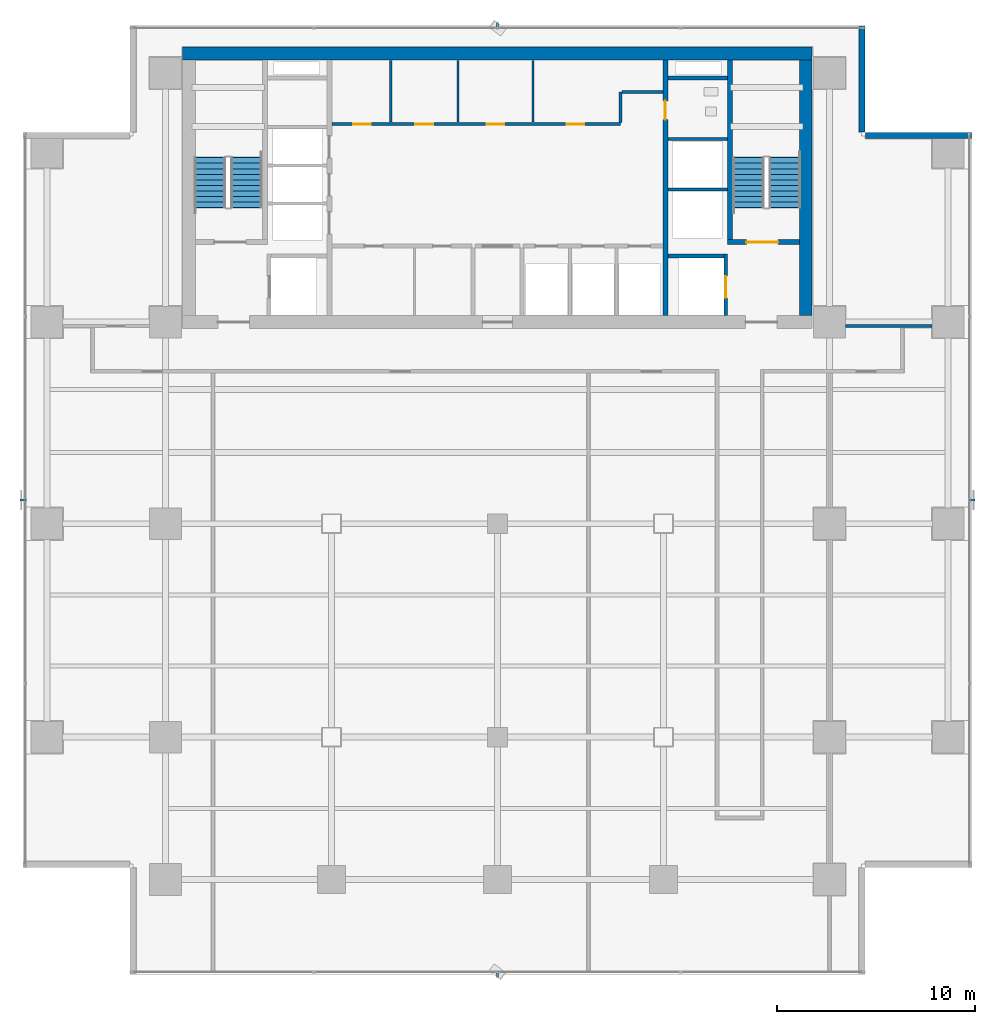
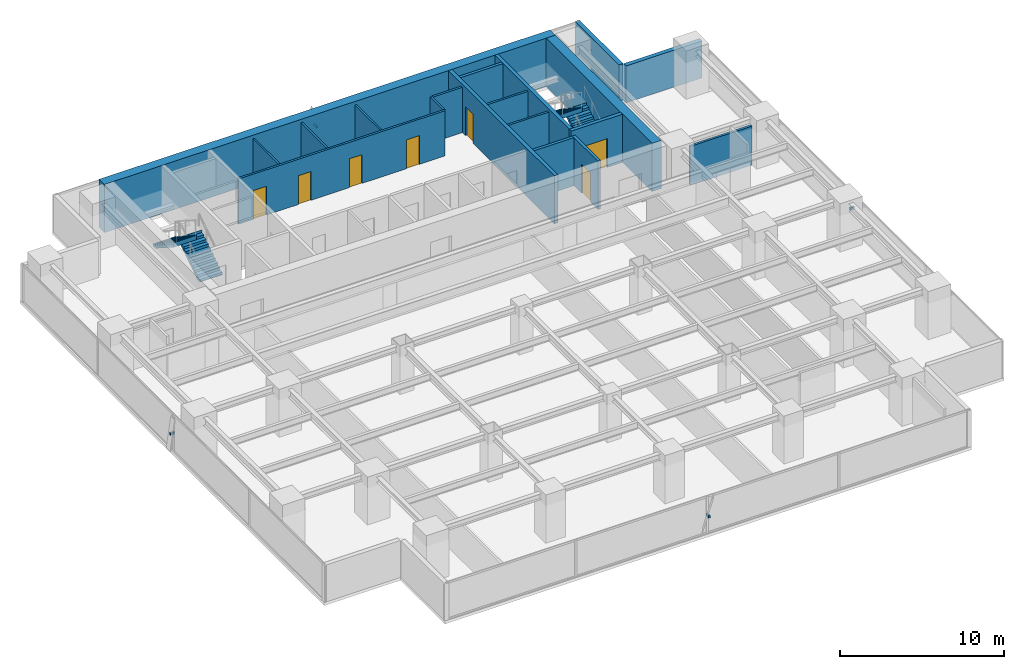
# One storey, part 22 of 27: 19 walls, 7 doors, 4 discrete accessories, 4 stair flights, 7 openings, 2 elements without a shape of their own.
"""IFC4 building model written with IfcOpenShell, lengths in metres."""

from ifc_helpers import new_model, si_unit, direction, frame, frame_2d, origin, origin_2d, place, context, subcontext, project, spatial, polyline, rectangle, outline, extrude, source, transform, mapped, material, layer, layer_set, material_profile, profile_set, type_object, element, fill, aggregate, save


model = new_model("IFC4")

# Units and contexts
model_context = context("Model", 3, precision=1e-05, world=origin(), true_north=direction((0.0, 1.0)))
body_context = subcontext(model_context, "Body", "Model", "MODEL_VIEW")
ifc_project = project(units=[si_unit("LENGTHUNIT", "METRE"), si_unit("AREAUNIT", "SQUARE_METRE"), si_unit("VOLUMEUNIT", "CUBIC_METRE"), si_unit("PLANEANGLEUNIT", "RADIAN"), si_unit("MASSUNIT", "GRAM", prefix="KILO")], contexts=[model_context])

# Site, building, storey
site_placement = place(None, origin())
site = spatial("IfcSite", under=ifc_project, at=site_placement, CompositionType="ELEMENT")
building_placement = place(site_placement, origin())
building = spatial("IfcBuilding", under=site, at=building_placement, Name="Sumidabori Civic Tower", CompositionType="ELEMENT")
storey_placement = place(building_placement, frame((0.0, 0.0, 156.800048828125)))
storey = spatial("IfcBuildingStorey", under=building, at=storey_placement, Name="L40", CompositionType="ELEMENT", Elevation=156.800048828125)

# Walls
ifc_material_1 = material(Name="Concrete C50/60", Category="concrete")
ifc_layer_1 = layer(ifc_material_1, 0.199951171875, Name="Concrete C50/60")
ifc_layer_set_1 = layer_set([ifc_layer_1], Name="Concrete C50/60")
wall_type_1 = type_object("IfcWallType", Name="WL-SHAFT-200", PredefinedType="SHEAR", material=ifc_layer_set_1)
shared_shape_1 = source(origin(), body_context, "Body", "SweptSolid", [
    extrude(rectangle(XDim=2.824951171875, YDim=0.199951171875, at=frame_2d((1.41259765625, 0.0))), origin(), (0.0, 0.0, 1.0), 3.599853515625),
])
wall_1_placement = place(storey_placement, frame((8.625, 13.550048828125, 0.0), z_axis=(0.0, 0.0, 1.0), x_axis=(1.0, 0.0, 0.0)))
element("IfcWall", 1, at=wall_1_placement, inside=storey, type_object=wall_type_1, Name="Core Shear Wall L40 EL2-N", PredefinedType="SHEAR", context=body_context, shape_type="MappedRepresentation", body=[
    mapped(shared_shape_1, transform((0.0, 0.0, 0.0), x_axis=(1.0, 0.0, 0.0), y_axis=(0.0, 1.0, 0.0), z_axis=(0.0, 0.0, 1.0), scale=1.0)),
])
shared_shape_2 = source(origin(), body_context, "Body", "SweptSolid", [
    extrude(rectangle(XDim=3.02001953125, YDim=0.199951171875, at=frame_2d((1.510009765625, 0.0))), origin(), (0.0, 0.0, 1.0), 3.599853515625),
])
wall_2_placement = place(storey_placement, frame((8.625, 22.550048828125, 0.0), z_axis=(0.0, 0.0, 1.0), x_axis=(1.0, 0.0, 0.0)))
element("IfcWall", 2, at=wall_2_placement, inside=storey, type_object=wall_type_1, Name="Core Shear Wall L40 RIS2-S", PredefinedType="SHEAR", context=body_context, shape_type="MappedRepresentation", body=[
    mapped(shared_shape_2, transform((0.0, 0.0, 0.0), x_axis=(1.0, 0.0, 0.0), y_axis=(0.0, 1.0, 0.0), z_axis=(0.0, 0.0, 1.0), scale=1.0)),
])
ifc_material_2 = material(Name="Concrete C60/75", Category="concrete")
ifc_layer_2 = layer(ifc_material_2, 0.64990234375, Name="Concrete C60/75")
ifc_layer_set_2 = layer_set([ifc_layer_2], Name="Concrete C60/75")
wall_type_2 = type_object("IfcWallType", Name="WL-CORE-650", PredefinedType="SHEAR", material=ifc_layer_set_2)
shared_shape_3 = source(origin(), body_context, "Body", "SweptSolid", [
    extrude(rectangle(XDim=31.85009765625, YDim=0.64990234375, at=frame_2d((15.925048828125, 0.0))), origin(), (0.0, 0.0, 1.0), 3.599853515625),
])
wall_3_placement = place(storey_placement, frame((-15.925048828125, 23.800048828125, 0.0), z_axis=(0.0, 0.0, 1.0), x_axis=(1.0, 0.0, 0.0)))
element("IfcWall", 3, at=wall_3_placement, inside=storey, type_object=wall_type_2, Name="Core Shear Wall L40 N", PredefinedType="SHEAR", context=body_context, shape_type="MappedRepresentation", body=[
    mapped(shared_shape_3, transform((0.0, 0.0, 0.0), x_axis=(1.0, 0.0, 0.0), y_axis=(0.0, 1.0, 0.0), z_axis=(0.0, 0.0, 1.0), scale=1.0)),
])
shared_shape_4 = source(origin(), body_context, "Body", "SweptSolid", [
    extrude(rectangle(XDim=12.9501953125, YDim=0.64990234375, at=frame_2d((6.47509765625, 0.0))), origin(), (0.0, 0.0, 1.0), 3.599853515625),
])
wall_4_placement = place(storey_placement, frame((15.60009765625, 10.52490234375, 0.0), z_axis=(0.0, 0.0, 1.0), x_axis=(0.0, 1.0, 0.0)))
element("IfcWall", 4, at=wall_4_placement, inside=storey, type_object=wall_type_2, Name="Core Shear Wall L40 E", PredefinedType="SHEAR", context=body_context, shape_type="MappedRepresentation", body=[
    mapped(shared_shape_4, transform((0.0, 0.0, 0.0), x_axis=(1.0, 0.0, 0.0), y_axis=(0.0, 1.0, 0.0), z_axis=(0.0, 0.0, 1.0), scale=1.0)),
])

# Wall, opening, door
ifc_layer_3 = layer(ifc_material_1, 0.25, Name="Concrete C50/60")
ifc_layer_set_3 = layer_set([ifc_layer_3], Name="Concrete C50/60")
wall_type_3 = type_object("IfcWallType", Name="WL-SHAFT-250", PredefinedType="SHEAR", material=ifc_layer_set_3)
shared_shape_5 = source(origin(), body_context, "Body", "SweptSolid", [
    extrude(rectangle(XDim=12.9501953125, YDim=0.25, at=frame_2d((6.47509765625, 0.0))), origin(), (0.0, 0.0, 1.0), 3.599853515625),
])
wall_5_placement = place(storey_placement, frame((8.5, 10.52490234375, 0.0), z_axis=(0.0, 0.0, 1.0), x_axis=(0.0, 1.0, 0.0)))
wall_5 = element("IfcWall", 5, at=wall_5_placement, inside=storey, type_object=wall_type_3, Name="Core Shear Wall L40 WEB-E", PredefinedType="SHEAR", context=body_context, shape_type="MappedRepresentation", body=[
    mapped(shared_shape_5, transform((0.0, 0.0, 0.0), x_axis=(1.0, 0.0, 0.0), y_axis=(0.0, 1.0, 0.0), z_axis=(0.0, 0.0, 1.0), scale=1.0)),
])
opening_1_placement = place(wall_5_placement, frame((9.925048828125, 0.0, 0.0)))
opening_1 = element("IfcOpeningElement", 6, at=opening_1_placement, cuts=wall_5, Name="Opening DR-2", PredefinedType="OPENING", context=body_context, shape_type="SweptSolid", body=[
    extrude(rectangle(XDim=0.949951171875, YDim=2.14990234375, at=frame_2d((0.47509765625, 1.074951171875))), frame((0.0, 0.136962890625, 0.0), z_axis=(0.0, -1.0, 0.0), x_axis=(1.0, 0.0, 0.0)), (0.0, 0.0, 1.0), 0.27392578125),
])
ifc_material_3 = material(Name="Japanese Hinoki Timber", Category="wood")
door_type_1 = type_object("IfcDoorType", Name="DR-INT-950", OperationType="NOTDEFINED", PredefinedType="DOOR", material=ifc_material_3)
shared_shape_6 = source(origin(), body_context, "Body", "SweptSolid", [
    extrude(rectangle(XDim=0.949951171875, YDim=2.14990234375, at=frame_2d((0.47509765625, 1.074951171875))), frame((0.0, 0.02490234375, 0.0), z_axis=(0.0, -1.0, 0.0), x_axis=(1.0, 0.0, 0.0)), (0.0, 0.0, 1.0), 0.050048828125),
])
door_1_placement = place(opening_1_placement, origin())
door_1 = element("IfcDoor", 7, at=door_1_placement, inside=storey, type_object=door_type_1, Name="Door DR:L40:WC-ACC", OperationType="SINGLE_SWING_RIGHT", OverallHeight=2.14990234375, OverallWidth=0.949951171875, PredefinedType="DOOR", context=body_context, shape_type="MappedRepresentation", body=[
    mapped(shared_shape_6, transform((0.0, 0.0, 0.0), x_axis=(1.0, 0.0, 0.0), y_axis=(0.0, 1.0, 0.0), z_axis=(0.0, 0.0, 1.0), scale=1.0)),
])
fill(opening_1, door_1)

shared_shape_7 = source(origin(), body_context, "Body", "SweptSolid", [
    extrude(rectangle(XDim=3.6298828125, YDim=0.25, at=frame_2d((1.81494140625, 0.0))), origin(), (0.0, 0.0, 1.0), 3.599853515625),
])
wall_6_placement = place(storey_placement, frame((11.64501953125, 14.25, 0.0), z_axis=(0.0, 0.0, 1.0), x_axis=(1.0, 0.0, 0.0)))
wall_6 = element("IfcWall", 8, at=wall_6_placement, inside=storey, type_object=wall_type_3, Name="Core Shear Wall L40 ST2-S", PredefinedType="SHEAR", context=body_context, shape_type="MappedRepresentation", body=[
    mapped(shared_shape_7, transform((0.0, 0.0, 0.0), x_axis=(1.0, 0.0, 0.0), y_axis=(0.0, 1.0, 0.0), z_axis=(0.0, 0.0, 1.0), scale=1.0)),
])
opening_2_placement = place(wall_6_placement, frame((0.949951171875, 0.0, 0.0)))
opening_2 = element("IfcOpeningElement", 9, at=opening_2_placement, cuts=wall_6, Name="Opening DR-FD4", PredefinedType="OPENING", context=body_context, shape_type="SweptSolid", body=[
    extrude(rectangle(XDim=1.60009765625, YDim=2.14990234375, at=frame_2d((0.800048828125, 1.074951171875))), frame((0.0, 0.136962890625, 0.0), z_axis=(0.0, -1.0, 0.0), x_axis=(1.0, 0.0, 0.0)), (0.0, 0.0, 1.0), 0.27392578125),
])
ifc_material_4 = material(Name="Steel SN490", Category="steel")
door_type_2 = type_object("IfcDoorType", Name="DR-FD4", OperationType="DOUBLE_DOOR_SINGLE_SWING", PredefinedType="DOOR", material=ifc_material_4)
shared_shape_8 = source(origin(), body_context, "Body", "SweptSolid", [
    extrude(rectangle(XDim=1.60009765625, YDim=2.14990234375, at=frame_2d((0.800048828125, 1.074951171875))), frame((0.0, 0.02490234375, 0.0), z_axis=(0.0, -1.0, 0.0), x_axis=(1.0, 0.0, 0.0)), (0.0, 0.0, 1.0), 0.050048828125),
])
door_2_placement = place(opening_2_placement, origin())
door_2 = element("IfcDoor", 10, at=door_2_placement, inside=storey, type_object=door_type_2, Name="Door DR:L40:ST2", OperationType="DOUBLE_DOOR_SINGLE_SWING", OverallHeight=2.14990234375, OverallWidth=1.60009765625, PredefinedType="DOOR", context=body_context, shape_type="MappedRepresentation", body=[
    mapped(shared_shape_8, transform((0.0, 0.0, 0.0), x_axis=(1.0, 0.0, 0.0), y_axis=(0.0, 1.0, 0.0), z_axis=(0.0, 0.0, 1.0), scale=1.0)),
])
fill(opening_2, door_2)

# Wall
shared_shape_9 = source(origin(), body_context, "Body", "SweptSolid", [
    extrude(rectangle(XDim=9.10009765625, YDim=0.25, at=frame_2d((4.550048828125, 0.0))), origin(), (0.0, 0.0, 1.0), 3.599853515625),
])
wall_7_placement = place(storey_placement, frame((11.77001953125, 14.375, 0.0), z_axis=(0.0, 0.0, 1.0), x_axis=(0.0, 1.0, 0.0)))
element("IfcWall", 11, at=wall_7_placement, inside=storey, type_object=wall_type_3, Name="Core Shear Wall L40 ST2-W", PredefinedType="SHEAR", context=body_context, shape_type="MappedRepresentation", body=[
    mapped(shared_shape_9, transform((0.0, 0.0, 0.0), x_axis=(1.0, 0.0, 0.0), y_axis=(0.0, 1.0, 0.0), z_axis=(0.0, 0.0, 1.0), scale=1.0)),
])

# Wall, opening, door
shared_shape_10 = source(origin(), body_context, "Body", "SweptSolid", [
    extrude(rectangle(XDim=3.125, YDim=0.199951171875, at=frame_2d((1.5625, 0.0))), origin(), (0.0, 0.0, 1.0), 3.599853515625),
])
wall_8_placement = place(storey_placement, frame((11.550048828125, 10.52490234375, 0.0), z_axis=(0.0, 0.0, 1.0), x_axis=(0.0, 1.0, 0.0)))
wall_8 = element("IfcWall", 12, at=wall_8_placement, inside=storey, type_object=wall_type_1, Name="Core Shear Wall L40 EL2-E", PredefinedType="SHEAR", context=body_context, shape_type="MappedRepresentation", body=[
    mapped(shared_shape_10, transform((0.0, 0.0, 0.0), x_axis=(1.0, 0.0, 0.0), y_axis=(0.0, 1.0, 0.0), z_axis=(0.0, 0.0, 1.0), scale=1.0)),
])
opening_3_placement = place(wall_8_placement, frame((0.89990234375, 0.0, 0.0)))
opening_3 = element("IfcOpeningElement", 13, at=opening_3_placement, cuts=wall_8, Name="Opening LD-2", PredefinedType="OPENING", context=body_context, shape_type="SweptSolid", body=[
    extrude(rectangle(XDim=1.10009765625, YDim=2.14990234375, at=frame_2d((0.550048828125, 1.074951171875))), frame((0.0, 0.11181640625, 0.0), z_axis=(0.0, -1.0, 0.0), x_axis=(1.0, 0.0, 0.0)), (0.0, 0.0, 1.0), 0.223876953125),
])
ifc_material_5 = material(Name="Stainless Steel Hairline Finish", Category="steel")
door_type_3 = type_object("IfcDoorType", Name="DR-LD2", OperationType="DOUBLE_DOOR_SLIDING", PredefinedType="DOOR", material=ifc_material_5)
shared_shape_11 = source(origin(), body_context, "Body", "SweptSolid", [
    extrude(rectangle(XDim=1.10009765625, YDim=2.14990234375, at=frame_2d((0.550048828125, 1.074951171875))), frame((0.0, 0.02490234375, 0.0), z_axis=(0.0, -1.0, 0.0), x_axis=(1.0, 0.0, 0.0)), (0.0, 0.0, 1.0), 0.050048828125),
])
door_3_placement = place(opening_3_placement, origin())
door_3 = element("IfcDoor", 14, at=door_3_placement, inside=storey, type_object=door_type_3, Name="Door DR:L40:LD-EL2", OperationType="DOUBLE_DOOR_SLIDING", OverallHeight=2.14990234375, OverallWidth=1.10009765625, PredefinedType="DOOR", context=body_context, shape_type="MappedRepresentation", body=[
    mapped(shared_shape_11, transform((0.0, 0.0, 0.0), x_axis=(1.0, 0.0, 0.0), y_axis=(0.0, 1.0, 0.0), z_axis=(0.0, 0.0, 1.0), scale=1.0)),
])
fill(opening_3, door_3)

# Walls
ifc_material_6 = material(Name="Precast concrete C40/50", Category="concrete")
ifc_layer_4 = layer(ifc_material_6, 0.300048828125, Name="Precast concrete C40/50")
ifc_layer_set_4 = layer_set([ifc_layer_4], Name="Precast concrete C40/50")
wall_type_4 = type_object("IfcWallType", Name="WL-EXT-POD300", PredefinedType="STANDARD", material=ifc_layer_set_4)
shared_shape_12 = source(origin(), body_context, "Body", "SweptSolid", [
    extrude(rectangle(XDim=5.35986328125, YDim=0.300048828125, at=frame_2d((2.679931640625, 0.0))), origin(), (0.0, 0.0, 1.0), 2.760009765625),
])
for number, where, z_axis, x_axis, name in (
    (15, (23.97998046875, 19.64990234375, 0.0), (0.0, 0.0, 1.0), (-1.0, 0.0, 0.0), "Notched Corner Spandrel Band L40-05"),
    (16, (18.449951171875, 19.820068359375, 0.0), (0.0, 0.0, 1.0), (0.0, 1.0, 0.0), "Notched Corner Spandrel Band L40-06"),
):
    element("IfcWall", number, at=place(storey_placement, frame(where, z_axis=z_axis, x_axis=x_axis)), inside=storey, type_object=wall_type_4, Name=name, PredefinedType="STANDARD", context=body_context, shape_type="MappedRepresentation", body=[
        mapped(shared_shape_12, transform((0.0, 0.0, 0.0), x_axis=(1.0, 0.0, 0.0), y_axis=(0.0, 1.0, 0.0), z_axis=(0.0, 0.0, 1.0), scale=1.0)),
    ])
ifc_material_7 = material(Name="Gypsum Plasterboard Acoustic Partition")
ifc_layer_5 = layer(ifc_material_7, 0.14990234375, Name="Gypsum Plasterboard Acoustic Partition")
ifc_layer_set_5 = layer_set([ifc_layer_5], Name="Gypsum Plasterboard Acoustic Partition")
wall_type_5 = type_object("IfcWallType", Name="WL-PART-150", PredefinedType="PARTITIONING", material=ifc_layer_set_5)
shared_shape_13 = source(origin(), body_context, "Body", "SweptSolid", [
    extrude(rectangle(XDim=3.010009765625, YDim=0.14990234375, at=frame_2d((1.5048828125, 0.0))), origin(), (0.0, 0.0, 1.0), 3.3798828125),
])
for number, where, z_axis, x_axis, name in (
    (17, (8.6298828125, 16.919921875, 0.0), (0.0, 0.0, 1.0), (1.0, 0.0, 0.0), "Interior Partition WL:L40:DIV-OBS1"),
    (18, (8.6298828125, 19.469970703125, 0.0), (0.0, 0.0, 1.0), (1.0, 0.0, 0.0), "Interior Partition WL:L40:DIV-OBS2"),
):
    element("IfcWall", number, at=place(storey_placement, frame(where, z_axis=z_axis, x_axis=x_axis)), inside=storey, type_object=wall_type_5, Name=name, PredefinedType="PARTITIONING", context=body_context, shape_type="MappedRepresentation", body=[
        mapped(shared_shape_13, transform((0.0, 0.0, 0.0), x_axis=(1.0, 0.0, 0.0), y_axis=(0.0, 1.0, 0.0), z_axis=(0.0, 0.0, 1.0), scale=1.0)),
    ])

# Wall, openings, doors
shared_shape_14 = source(origin(), body_context, "Body", "SweptSolid", [
    extrude(rectangle(XDim=14.590087890625, YDim=0.14990234375, at=frame_2d((7.294921875, 0.0))), origin(), (0.0, 0.0, 1.0), 3.3798828125),
])
wall_9_placement = place(storey_placement, frame((-8.3701171875, 20.219970703125, 0.0), z_axis=(0.0, 0.0, 1.0), x_axis=(1.0, 0.0, 0.0)))
wall_9 = element("IfcWall", 19, at=wall_9_placement, inside=storey, type_object=wall_type_5, Name="Interior Partition WL:L40:CBAND-M", PredefinedType="PARTITIONING", context=body_context, shape_type="MappedRepresentation", body=[
    mapped(shared_shape_14, transform((0.0, 0.0, 0.0), x_axis=(1.0, 0.0, 0.0), y_axis=(0.0, 1.0, 0.0), z_axis=(0.0, 0.0, 1.0), scale=1.0)),
])
opening_4_placement = place(wall_9_placement, frame((1.06005859375, 0.0, 0.0)))
opening_4 = element("IfcOpeningElement", 20, at=opening_4_placement, cuts=wall_9, Name="Opening DR-1", PredefinedType="OPENING", context=body_context, shape_type="SweptSolid", body=[
    extrude(rectangle(XDim=0.89990234375, YDim=2.14990234375, at=frame_2d((0.449951171875, 1.074951171875))), frame((0.0, 0.0869140625, 0.0), z_axis=(0.0, -1.0, 0.0), x_axis=(1.0, 0.0, 0.0)), (0.0, 0.0, 1.0), 0.173828125),
])
opening_5_placement = place(wall_9_placement, frame((4.219970703125, 0.0, 0.0)))
opening_5 = element("IfcOpeningElement", 21, at=opening_5_placement, cuts=wall_9, Name="Opening DR-1", PredefinedType="OPENING", context=body_context, shape_type="SweptSolid", body=[
    extrude(rectangle(XDim=0.89990234375, YDim=2.14990234375, at=frame_2d((0.449951171875, 1.074951171875))), frame((0.0, 0.0869140625, 0.0), z_axis=(0.0, -1.0, 0.0), x_axis=(1.0, 0.0, 0.0)), (0.0, 0.0, 1.0), 0.173828125),
])
opening_6_placement = place(wall_9_placement, frame((7.820068359375, 0.0, 0.0)))
opening_6 = element("IfcOpeningElement", 22, at=opening_6_placement, cuts=wall_9, Name="Opening DR-1", PredefinedType="OPENING", context=body_context, shape_type="SweptSolid", body=[
    extrude(rectangle(XDim=0.89990234375, YDim=2.14990234375, at=frame_2d((0.449951171875, 1.074951171875))), frame((0.0, 0.0869140625, 0.0), z_axis=(0.0, -1.0, 0.0), x_axis=(1.0, 0.0, 0.0)), (0.0, 0.0, 1.0), 0.173828125),
])
opening_7_placement = place(wall_9_placement, frame((11.8701171875, 0.0, 0.0)))
opening_7 = element("IfcOpeningElement", 23, at=opening_7_placement, cuts=wall_9, Name="Opening DR-1", PredefinedType="OPENING", context=body_context, shape_type="SweptSolid", body=[
    extrude(rectangle(XDim=0.89990234375, YDim=2.14990234375, at=frame_2d((0.449951171875, 1.074951171875))), frame((0.0, 0.0869140625, 0.0), z_axis=(0.0, -1.0, 0.0), x_axis=(1.0, 0.0, 0.0)), (0.0, 0.0, 1.0), 0.173828125),
])
door_type_4 = type_object("IfcDoorType", Name="DR-INT-900", OperationType="NOTDEFINED", PredefinedType="DOOR", material=ifc_material_3)
shared_shape_15 = source(origin(), body_context, "Body", "SweptSolid", [
    extrude(rectangle(XDim=0.89990234375, YDim=2.14990234375, at=frame_2d((0.449951171875, 1.074951171875))), frame((0.0, 0.02490234375, 0.0), z_axis=(0.0, -1.0, 0.0), x_axis=(1.0, 0.0, 0.0)), (0.0, 0.0, 1.0), 0.050048828125),
])
door_4_placement = place(opening_4_placement, origin())
door_4 = element("IfcDoor", 24, at=door_4_placement, inside=storey, type_object=door_type_4, Name="Door DR:L40:CB-1", OperationType="SINGLE_SWING_LEFT", OverallHeight=2.14990234375, OverallWidth=0.89990234375, PredefinedType="DOOR", context=body_context, shape_type="MappedRepresentation", body=[
    mapped(shared_shape_15, transform((0.0, 0.0, 0.0), x_axis=(1.0, 0.0, 0.0), y_axis=(0.0, 1.0, 0.0), z_axis=(0.0, 0.0, 1.0), scale=1.0)),
])
fill(opening_4, door_4)
door_5_placement = place(opening_5_placement, origin())
door_5 = element("IfcDoor", 25, at=door_5_placement, inside=storey, type_object=door_type_4, Name="Door DR:L40:CB-2", OperationType="SINGLE_SWING_RIGHT", OverallHeight=2.14990234375, OverallWidth=0.89990234375, PredefinedType="DOOR", context=body_context, shape_type="MappedRepresentation", body=[
    mapped(shared_shape_15, transform((0.0, 0.0, 0.0), x_axis=(1.0, 0.0, 0.0), y_axis=(0.0, 1.0, 0.0), z_axis=(0.0, 0.0, 1.0), scale=1.0)),
])
fill(opening_5, door_5)
door_6_placement = place(opening_6_placement, origin())
door_6 = element("IfcDoor", 26, at=door_6_placement, inside=storey, type_object=door_type_4, Name="Door DR:L40:CB-3", OperationType="SINGLE_SWING_LEFT", OverallHeight=2.14990234375, OverallWidth=0.89990234375, PredefinedType="DOOR", context=body_context, shape_type="MappedRepresentation", body=[
    mapped(shared_shape_15, transform((0.0, 0.0, 0.0), x_axis=(1.0, 0.0, 0.0), y_axis=(0.0, 1.0, 0.0), z_axis=(0.0, 0.0, 1.0), scale=1.0)),
])
fill(opening_6, door_6)
door_7_placement = place(opening_7_placement, origin())
door_7 = element("IfcDoor", 27, at=door_7_placement, inside=storey, type_object=door_type_4, Name="Door DR:L40:CB-4", OperationType="SINGLE_SWING_RIGHT", OverallHeight=2.14990234375, OverallWidth=0.89990234375, PredefinedType="DOOR", context=body_context, shape_type="MappedRepresentation", body=[
    mapped(shared_shape_15, transform((0.0, 0.0, 0.0), x_axis=(1.0, 0.0, 0.0), y_axis=(0.0, 1.0, 0.0), z_axis=(0.0, 0.0, 1.0), scale=1.0)),
])
fill(opening_7, door_7)

# Walls
shared_shape_16 = source(origin(), body_context, "Body", "SweptSolid", [
    extrude(rectangle(XDim=1.550048828125, YDim=0.14990234375, at=frame_2d((0.77490234375, 0.0))), origin(), (0.0, 0.0, 1.0), 3.3798828125),
])
wall_10_placement = place(storey_placement, frame((6.219970703125, 20.300048828125, 0.0), z_axis=(0.0, 0.0, 1.0), x_axis=(0.0, 1.0, 0.0)))
element("IfcWall", 28, at=wall_10_placement, inside=storey, type_object=wall_type_5, Name="Interior Partition WL:L40:CBAND-ME1", PredefinedType="PARTITIONING", context=body_context, shape_type="MappedRepresentation", body=[
    mapped(shared_shape_16, transform((0.0, 0.0, 0.0), x_axis=(1.0, 0.0, 0.0), y_axis=(0.0, 1.0, 0.0), z_axis=(0.0, 0.0, 1.0), scale=1.0)),
])
shared_shape_17 = source(origin(), body_context, "Body", "SweptSolid", [
    extrude(rectangle(XDim=2.070068359375, YDim=0.14990234375, at=frame_2d((1.03515625, 0.0))), origin(), (0.0, 0.0, 1.0), 3.3798828125),
])
wall_11_placement = place(storey_placement, frame((6.300048828125, 21.85009765625, 0.0), z_axis=(0.0, 0.0, 1.0), x_axis=(1.0, 0.0, 0.0)))
element("IfcWall", 29, at=wall_11_placement, inside=storey, type_object=wall_type_5, Name="Interior Partition WL:L40:CBAND-ME2", PredefinedType="PARTITIONING", context=body_context, shape_type="MappedRepresentation", body=[
    mapped(shared_shape_17, transform((0.0, 0.0, 0.0), x_axis=(1.0, 0.0, 0.0), y_axis=(0.0, 1.0, 0.0), z_axis=(0.0, 0.0, 1.0), scale=1.0)),
])
ifc_layer_6 = layer(ifc_material_7, 0.1201171875, Name="Gypsum Plasterboard Acoustic Partition")
ifc_layer_set_6 = layer_set([ifc_layer_6], Name="Gypsum Plasterboard Acoustic Partition")
wall_type_6 = type_object("IfcWallType", Name="WL-PART-120", PredefinedType="PARTITIONING", material=ifc_layer_set_6)
shared_shape_18 = source(origin(), body_context, "Body", "SweptSolid", [
    extrude(rectangle(XDim=3.114990234375, YDim=0.1201171875, at=frame_2d((1.5576171875, 0.0))), origin(), (0.0, 0.0, 1.0), 3.3798828125),
])
for number, where, z_axis, x_axis, name in (
    (30, (-5.39990234375, 20.320068359375, 0.0), (0.0, 0.0, 1.0), (0.0, 1.0, 0.0), "Interior Partition WL:L40:LV8-S1"),
    (31, (-2.0, 20.320068359375, 0.0), (0.0, 0.0, 1.0), (0.0, 1.0, 0.0), "Interior Partition WL:L40:LV8-S2"),
    (32, (1.800048828125, 20.320068359375, 0.0), (0.0, 0.0, 1.0), (0.0, 1.0, 0.0), "Interior Partition WL:L40:LV8-S3"),
):
    element("IfcWall", number, at=place(storey_placement, frame(where, z_axis=z_axis, x_axis=x_axis)), inside=storey, type_object=wall_type_6, Name=name, PredefinedType="PARTITIONING", context=body_context, shape_type="MappedRepresentation", body=[
        mapped(shared_shape_18, transform((0.0, 0.0, 0.0), x_axis=(1.0, 0.0, 0.0), y_axis=(0.0, 1.0, 0.0), z_axis=(0.0, 0.0, 1.0), scale=1.0)),
    ])
ifc_layer_7 = layer(ifc_material_7, 0.1650390625, Name="Gypsum Plasterboard Acoustic Partition")
ifc_layer_set_7 = layer_set([ifc_layer_7], Name="Gypsum Plasterboard Acoustic Partition")
wall_type_7 = type_object("IfcWallType", Name="WL-PART-165", PredefinedType="PARTITIONING", material=ifc_layer_set_7)
shared_shape_19 = source(origin(), body_context, "Body", "SweptSolid", [
    extrude(rectangle(XDim=4.3798828125, YDim=0.1650390625, at=frame_2d((2.18994140625, 0.0))), origin(), (0.0, 0.0, 1.0), 2.9150390625),
])
wall_12_placement = place(storey_placement, frame((17.610107421875, 10.0, 0.0), z_axis=(0.0, 0.0, 1.0), x_axis=(1.0, 0.0, 0.0)))
element("IfcWall", 33, at=wall_12_placement, inside=storey, type_object=wall_type_7, Name="Interior Partition WL:L40:FLK-NE", PredefinedType="PARTITIONING", context=body_context, shape_type="MappedRepresentation", body=[
    mapped(shared_shape_19, transform((0.0, 0.0, 0.0), x_axis=(1.0, 0.0, 0.0), y_axis=(0.0, 1.0, 0.0), z_axis=(0.0, 0.0, 1.0), scale=1.0)),
])

# Stair, stair flights
ifc_material_8 = material(Name="Concrete C40/50", Category="concrete")
stair_type = type_object("IfcStairType", Name="ST-CORE-1600", PredefinedType="HALF_TURN_STAIR", material=ifc_material_8)
stair_1_placement = place(storey_placement, origin())
stair_1 = element("IfcStair", 34, at=stair_1_placement, inside=storey, type_object=stair_type, Name="L40 ST-1", PredefinedType="HALF_TURN_STAIR")
stair_flight_type = type_object("IfcStairFlightType", Name="SF-CORE-1600", PredefinedType="STRAIGHT", material=ifc_material_8)
shared_shape_20 = source(origin(), body_context, "Body", "SweptSolid", [
    extrude(outline(polyline([(-0.02490234375, 0.0), (-0.02490234375, 0.0400390625), (0.0, 0.0400390625), (0.0, 0.179931640625), (0.280029296875, 0.179931640625), (0.280029296875, 0.360107421875), (0.56005859375, 0.360107421875), (0.56005859375, 0.5400390625), (0.840087890625, 0.5400390625), (0.840087890625, 0.719970703125), (1.1201171875, 0.719970703125), (1.1201171875, 0.89990234375), (1.39990234375, 0.89990234375), (1.39990234375, 1.080078125), (1.679931640625, 1.080078125), (1.679931640625, 1.260009765625), (1.9599609375, 1.260009765625), (1.9599609375, 1.43994140625), (2.239990234375, 1.43994140625), (2.239990234375, 1.6201171875), (2.52001953125, 1.6201171875), (2.52001953125, 1.800048828125), (2.544921875, 1.800048828125), (2.544921875, 1.650146484375), (2.52001953125, 1.44189453125), (0.277099609375, 0.0), (-0.02490234375, 0.0)])), frame((0.0, 0.800048828125, 0.0), z_axis=(0.0, -1.0, 0.0), x_axis=(1.0, 0.0, 0.0)), (0.0, 0.0, 1.0), 1.60009765625),
])
stair_flight_1_placement = place(storey_placement, frame((-12.699951171875, 16.0, 0.0), z_axis=(0.0, 0.0, 1.0), x_axis=(0.0, 1.0, 0.0)))
stair_flight_1 = element("IfcStairFlight", 35, at=stair_flight_1_placement, type_object=stair_flight_type, Name="ST-1 flight 1", NumberOfRisers=10, NumberOfTreads=9, PredefinedType="STRAIGHT", RiserHeight=0.18, TreadLength=0.28, context=body_context, shape_type="MappedRepresentation", body=[
    mapped(shared_shape_20, transform((0.0, 0.0, 0.0), x_axis=(1.0, 0.0, 0.0), y_axis=(0.0, 1.0, 0.0), z_axis=(0.0, 0.0, 1.0), scale=1.0)),
])
stair_flight_2_placement = place(storey_placement, frame((-14.5400390625, 18.52001953125, 1.800048828125), z_axis=(0.0, 0.0, 1.0), x_axis=(0.0, -1.0, 0.0)))
stair_flight_2 = element("IfcStairFlight", 36, at=stair_flight_2_placement, type_object=stair_flight_type, Name="ST-1 flight 2", NumberOfRisers=10, NumberOfTreads=9, PredefinedType="STRAIGHT", RiserHeight=0.18, TreadLength=0.28, context=body_context, shape_type="MappedRepresentation", body=[
    mapped(shared_shape_20, transform((0.0, 0.0, 0.0), x_axis=(1.0, 0.0, 0.0), y_axis=(0.0, 1.0, 0.0), z_axis=(0.0, 0.0, 1.0), scale=1.0)),
])
aggregate(stair_1, [stair_flight_1, stair_flight_2])

stair_2_placement = place(storey_placement, origin())
stair_2 = element("IfcStair", 37, at=stair_2_placement, inside=storey, type_object=stair_type, Name="L40 ST-2", PredefinedType="HALF_TURN_STAIR")
stair_flight_3_placement = place(storey_placement, frame((14.5400390625, 16.0, 0.0), z_axis=(0.0, 0.0, 1.0), x_axis=(0.0, 1.0, 0.0)))
stair_flight_3 = element("IfcStairFlight", 38, at=stair_flight_3_placement, type_object=stair_flight_type, Name="ST-2 flight 1", NumberOfRisers=10, NumberOfTreads=9, PredefinedType="STRAIGHT", RiserHeight=0.18, TreadLength=0.28, context=body_context, shape_type="MappedRepresentation", body=[
    mapped(shared_shape_20, transform((0.0, 0.0, 0.0), x_axis=(1.0, 0.0, 0.0), y_axis=(0.0, 1.0, 0.0), z_axis=(0.0, 0.0, 1.0), scale=1.0)),
])
stair_flight_4_placement = place(storey_placement, frame((12.699951171875, 18.52001953125, 1.800048828125), z_axis=(0.0, 0.0, 1.0), x_axis=(0.0, -1.0, 0.0)))
stair_flight_4 = element("IfcStairFlight", 39, at=stair_flight_4_placement, type_object=stair_flight_type, Name="ST-2 flight 2", NumberOfRisers=10, NumberOfTreads=9, PredefinedType="STRAIGHT", RiserHeight=0.18, TreadLength=0.28, context=body_context, shape_type="MappedRepresentation", body=[
    mapped(shared_shape_20, transform((0.0, 0.0, 0.0), x_axis=(1.0, 0.0, 0.0), y_axis=(0.0, 1.0, 0.0), z_axis=(0.0, 0.0, 1.0), scale=1.0)),
])
aggregate(stair_2, [stair_flight_3, stair_flight_4])

# Discrete accessories
ifc_material_profile = material_profile(ifc_material_5, rectangle(XDim=0.1201171875, YDim=0.179931640625, at=origin_2d()), Name="STEEL BRACKET 180x120")
ifc_profile_set = profile_set([ifc_material_profile], Name="Stainless Steel Hairline Finish")
discrete_accessory_type = type_object("IfcDiscreteAccessoryType", Name="AC-BRK-180", PredefinedType="BRACKET", material=ifc_profile_set)
shared_shape_21 = source(origin(), body_context, "Body", "SweptSolid", [
    extrude(rectangle(XDim=0.1201171875, YDim=0.179931640625, at=origin_2d()), origin(), (0.0, 0.0, 1.0), 0.329833984375),
])
for number, where, z_axis, x_axis, name in (
    (40, (23.830078125, 1.199951171875, 1.369873046875), (1.0, 0.0, 0.0), (0.0, 1.0, 0.0), "Bronze Fin Fixing Bracket L40-02"),
    (41, (-23.830078125, 1.199951171875, 1.369873046875), (-1.0, 0.0, 0.0), (0.0, -1.0, 0.0), "Bronze Fin Fixing Bracket L40-02"),
):
    element("IfcDiscreteAccessory", number, at=place(storey_placement, frame(where, z_axis=z_axis, x_axis=x_axis)), inside=storey, type_object=discrete_accessory_type, Name=name, PredefinedType="BRACKET", context=body_context, shape_type="MappedRepresentation", body=[
        mapped(shared_shape_21, transform((0.0, 0.0, 0.0), x_axis=(1.0, 0.0, 0.0), y_axis=(0.0, 1.0, 0.0), z_axis=(0.0, 0.0, 1.0), scale=1.0)),
    ])
shared_shape_22 = source(origin(), body_context, "Body", "SweptSolid", [
    extrude(rectangle(XDim=0.1201171875, YDim=0.179931640625, at=origin_2d()), origin(), (0.0, 0.0, 1.0), 0.330078125),
])
for number, where, z_axis, x_axis, name in (
    (42, (0.0, -22.6298828125, 1.369873046875), (0.0, -1.0, 0.0), (1.0, 0.0, 0.0), "Bronze Fin Fixing Bracket L40-02"),
    (43, (0.0, 25.030029296875, 1.369873046875), (0.0, 1.0, 0.0), (-1.0, 0.0, 0.0), "Bronze Fin Fixing Bracket L40-02"),
):
    element("IfcDiscreteAccessory", number, at=place(storey_placement, frame(where, z_axis=z_axis, x_axis=x_axis)), inside=storey, type_object=discrete_accessory_type, Name=name, PredefinedType="BRACKET", context=body_context, shape_type="MappedRepresentation", body=[
        mapped(shared_shape_22, transform((0.0, 0.0, 0.0), x_axis=(1.0, 0.0, 0.0), y_axis=(0.0, 1.0, 0.0), z_axis=(0.0, 0.0, 1.0), scale=1.0)),
    ])

save(model, "model.ifc")
